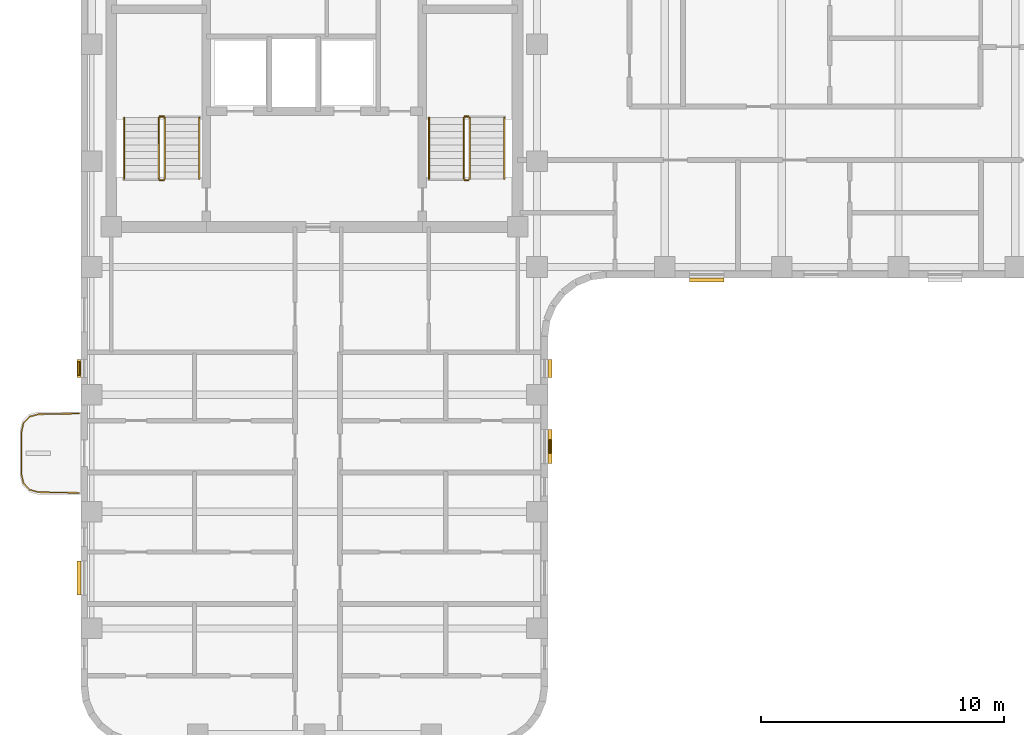
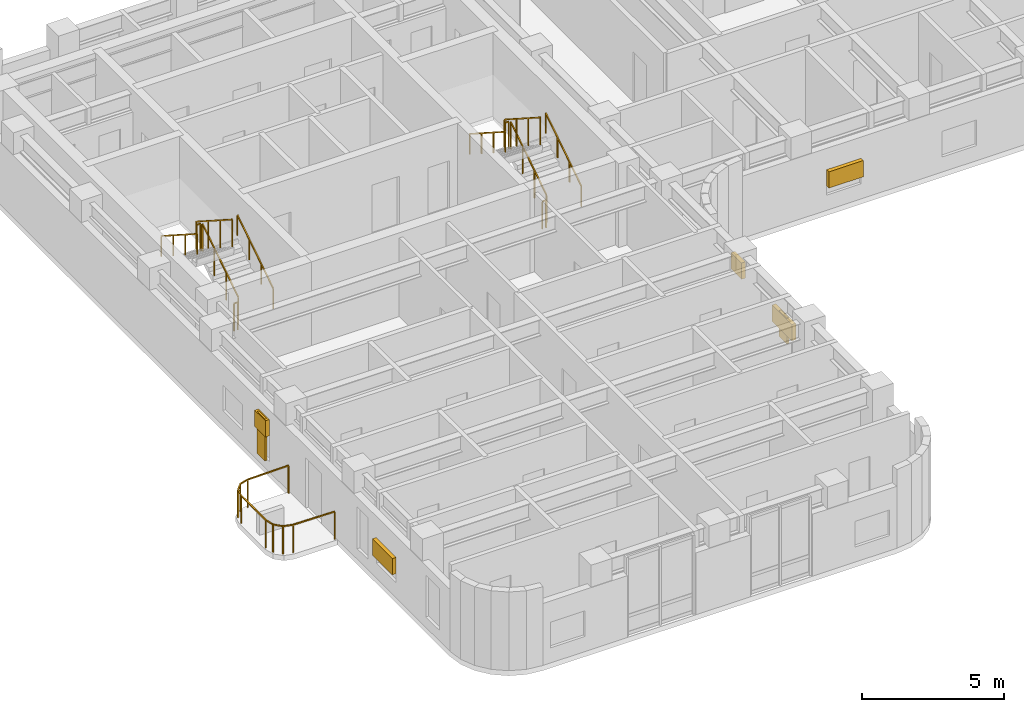
# One storey, part 10 of 12: 13 railings, 7 shading devices.
"""IFC4 building model written with IfcOpenShell, lengths in metres."""

from ifc_helpers import new_model, si_unit, direction, frame, origin, origin_2d, place, context, subcontext, project, spatial, rectangle, extrude, material, type_object, element, save


model = new_model("IFC4")

# Units and contexts
model_context = context("Model", 3, precision=1e-05, world=origin(), true_north=direction((0.0, 1.0)))
body_context = subcontext(model_context, "Body", "Model", "MODEL_VIEW")
ifc_project = project(units=[si_unit("LENGTHUNIT", "METRE"), si_unit("AREAUNIT", "SQUARE_METRE"), si_unit("VOLUMEUNIT", "CUBIC_METRE"), si_unit("PLANEANGLEUNIT", "RADIAN"), si_unit("MASSUNIT", "GRAM", prefix="KILO")], contexts=[model_context])

# Site, building, storey
site_placement = place(None, origin())
site = spatial("IfcSite", under=ifc_project, at=site_placement, CompositionType="ELEMENT")
building_placement = place(site_placement, origin())
building = spatial("IfcBuilding", under=site, at=building_placement, Name="Orvandelia Arch Residences", CompositionType="ELEMENT")
storey_placement = place(building_placement, frame((0.0, 0.0, 214.60009765625)))
storey = spatial("IfcBuildingStorey", under=building, at=storey_placement, Name="L56", CompositionType="ELEMENT", Elevation=214.60009765625)

# Railings
ifc_material_1 = material(Name="Marine-Grade Stainless Steel 316", Category="steel")
railing_type_1 = type_object("IfcRailingType", Name="GRD-BAL-1200", PredefinedType="BALUSTRADE", material=ifc_material_1)
railing_1_placement = place(storey_placement, frame((4.728271484375, 23.23046875, 0.0)))
element("IfcRailing", 1, at=railing_1_placement, inside=storey, type_object=railing_type_1, Name="Safety Balustrade Guard GRD-L56-BAL-L56-W1-1", PredefinedType="BALUSTRADE", context=body_context, shape_type="SweptSolid", body=[
    extrude(rectangle(XDim=0.048095703125, YDim=0.048095703125, at=origin_2d()), frame((0.0, 0.0, 1.19580078125), z_axis=(-0.999834751713, -0.018178813668, 0.0), x_axis=(0.018178813668, -0.999834751713, 0.0)), (0.0, 0.0, 1.0), 1.6787109375),
    extrude(rectangle(XDim=0.048095703125, YDim=0.048095703125, at=origin_2d()), frame((-1.678466796875, -0.030517578125, 1.19580078125), z_axis=(-0.96348920644, -0.267747173792, 0.0), x_axis=(0.267747173792, -0.96348920644, 0.0)), (0.0, 0.0, 1.0), 0.36572265625),
    extrude(rectangle(XDim=0.048095703125, YDim=0.048095703125, at=origin_2d()), frame((-2.03076171875, -0.12841796875, 1.19580078125), z_axis=(-0.688627404251, -0.725115368831, 0.0), x_axis=(0.725115368831, -0.688627404251, 0.0)), (0.0, 0.0, 1.0), 0.367919921875),
    extrude(rectangle(XDim=0.048095703125, YDim=0.048095703125, at=origin_2d()), frame((-2.2841796875, -0.395263671875, 1.19580078125), z_axis=(-0.220461657419, -0.975395641577, 0.0), x_axis=(0.975395641577, -0.220461657419, 0.0)), (0.0, 0.0, 1.0), 0.373291015625),
    extrude(rectangle(XDim=0.048095703125, YDim=0.048095703125, at=origin_2d()), frame((-2.366455078125, -0.75927734375, 1.19580078125), z_axis=(0.0, -1.0, 0.0), x_axis=(1.0, 0.0, 0.0)), (0.0, 0.0, 1.0), 1.742431640625),
    extrude(rectangle(XDim=0.048095703125, YDim=0.048095703125, at=origin_2d()), frame((-2.366455078125, -2.501708984375, 1.19580078125), z_axis=(0.220602419982, -0.975363815352, 0.0), x_axis=(0.975363815352, 0.220602419982, 0.0)), (0.0, 0.0, 1.0), 0.373046875),
    extrude(rectangle(XDim=0.048095703125, YDim=0.048095703125, at=origin_2d()), frame((-2.2841796875, -2.865478515625, 1.19580078125), z_axis=(0.688296224633, -0.725429739642, 0.0), x_axis=(0.725429739642, 0.688296224633, 0.0)), (0.0, 0.0, 1.0), 0.3681640625),
    extrude(rectangle(XDim=0.048095703125, YDim=0.048095703125, at=origin_2d()), frame((-2.03076171875, -3.132568359375, 1.19580078125), z_axis=(0.96348920644, -0.267747173792, 0.0), x_axis=(0.267747173792, 0.96348920644, 0.0)), (0.0, 0.0, 1.0), 0.36572265625),
    extrude(rectangle(XDim=0.048095703125, YDim=0.048095703125, at=origin_2d()), frame((-1.678466796875, -3.23046875, 1.19580078125), z_axis=(0.999834751713, -0.018178813668, 0.0), x_axis=(0.018178813668, 0.999834751713, 0.0)), (0.0, 0.0, 1.0), 1.6787109375),
    extrude(rectangle(XDim=0.0419921875, YDim=0.0419921875, at=origin_2d()), origin(), (0.0, 0.0, 1.0), 1.171875),
    extrude(rectangle(XDim=0.0419921875, YDim=0.0419921875, at=origin_2d()), frame((-1.678466796875, -0.030517578125, 0.0)), (0.0, 0.0, 1.0), 1.171875),
    extrude(rectangle(XDim=0.0419921875, YDim=0.0419921875, at=origin_2d()), frame((-2.03076171875, -0.12841796875, 0.0)), (0.0, 0.0, 1.0), 1.171875),
    extrude(rectangle(XDim=0.0419921875, YDim=0.0419921875, at=origin_2d()), frame((-2.2841796875, -0.395263671875, 0.0)), (0.0, 0.0, 1.0), 1.171875),
    extrude(rectangle(XDim=0.0419921875, YDim=0.0419921875, at=origin_2d()), frame((-2.366455078125, -0.75927734375, 0.0)), (0.0, 0.0, 1.0), 1.171875),
    extrude(rectangle(XDim=0.0419921875, YDim=0.0419921875, at=origin_2d()), frame((-2.366455078125, -2.501708984375, 0.0)), (0.0, 0.0, 1.0), 1.171875),
    extrude(rectangle(XDim=0.0419921875, YDim=0.0419921875, at=origin_2d()), frame((-2.2841796875, -2.865478515625, 0.0)), (0.0, 0.0, 1.0), 1.171875),
    extrude(rectangle(XDim=0.0419921875, YDim=0.0419921875, at=origin_2d()), frame((-2.03076171875, -3.132568359375, 0.0)), (0.0, 0.0, 1.0), 1.171875),
    extrude(rectangle(XDim=0.0419921875, YDim=0.0419921875, at=origin_2d()), frame((-1.678466796875, -3.23046875, 0.0)), (0.0, 0.0, 1.0), 1.171875),
    extrude(rectangle(XDim=0.0419921875, YDim=0.0419921875, at=origin_2d()), frame((0.0, -3.260986328125, 0.0)), (0.0, 0.0, 1.0), 1.171875),
])
ifc_material_2 = material(Name="Brushed Stainless Steel 304", Category="steel")
railing_type_2 = type_object("IfcRailingType", Name="RL-STAIR-GD1120", PredefinedType="GUARDRAIL", material=ifc_material_2)
railing_2_placement = place(storey_placement, frame((8.25, 32.8701171875, 0.179931640625)))
element("IfcRailing", 2, at=railing_2_placement, inside=storey, type_object=railing_type_2, Name="L56 ST-1 stair guard 1", PredefinedType="GUARDRAIL", context=body_context, shape_type="SweptSolid", body=[
    extrude(rectangle(XDim=0.048095703125, YDim=0.048095703125, at=origin_2d()), frame((0.0, 0.0, 1.17578125), z_axis=(0.0, 0.841175827307, 0.540761710511), x_axis=(-1.0, 0.0, 0.0)), (0.0, 0.0, 1.0), 2.99560546875),
    extrude(rectangle(XDim=0.0419921875, YDim=0.0419921875, at=origin_2d()), origin(), (0.0, 0.0, 1.0), 1.15185546875),
    extrude(rectangle(XDim=0.0419921875, YDim=0.0419921875, at=origin_2d()), frame((0.0, 0.83984375, 0.5400390625)), (0.0, 0.0, 1.0), 1.15185546875),
    extrude(rectangle(XDim=0.0419921875, YDim=0.0419921875, at=origin_2d()), frame((0.0, 1.679931640625, 1.079833984375)), (0.0, 0.0, 1.0), 1.15185546875),
    extrude(rectangle(XDim=0.0419921875, YDim=0.0419921875, at=origin_2d()), frame((0.0, 2.519775390625, 1.619873046875)), (0.0, 0.0, 1.0), 1.15185546875),
])
railing_3_placement = place(storey_placement, frame((8.199951171875, 35.43994140625, 1.7998046875)))
element("IfcRailing", 3, at=railing_3_placement, inside=storey, type_object=railing_type_2, Name="L56 ST-1 stair guard 2", PredefinedType="GUARDRAIL", context=body_context, shape_type="SweptSolid", body=[
    extrude(rectangle(XDim=0.048095703125, YDim=0.048095703125, at=origin_2d()), frame((0.0, 0.0, 1.17578125), z_axis=(-1.0, 0.0, 0.0), x_axis=(0.0, -1.0, 0.0)), (0.0, 0.0, 1.0), 0.14990234375),
    extrude(rectangle(XDim=0.0419921875, YDim=0.0419921875, at=origin_2d()), origin(), (0.0, 0.0, 1.0), 1.15185546875),
    extrude(rectangle(XDim=0.0419921875, YDim=0.0419921875, at=origin_2d()), frame((-0.14990234375, 0.0, 0.0)), (0.0, 0.0, 1.0), 1.15185546875),
])
railing_4_placement = place(storey_placement, frame((8.0, 35.389892578125, 1.97998046875)))
element("IfcRailing", 4, at=railing_4_placement, inside=storey, type_object=railing_type_2, Name="L56 ST-1 stair guard 3", PredefinedType="GUARDRAIL", context=body_context, shape_type="SweptSolid", body=[
    extrude(rectangle(XDim=0.048095703125, YDim=0.048095703125, at=origin_2d()), frame((0.0, 0.0, 1.17578125), z_axis=(0.0, -0.841175827307, 0.540761710511), x_axis=(1.0, 0.0, 0.0)), (0.0, 0.0, 1.0), 2.99560546875),
    extrude(rectangle(XDim=0.0419921875, YDim=0.0419921875, at=origin_2d()), origin(), (0.0, 0.0, 1.0), 1.15185546875),
    extrude(rectangle(XDim=0.0419921875, YDim=0.0419921875, at=origin_2d()), frame((0.0, -0.83984375, 0.5400390625)), (0.0, 0.0, 1.0), 1.15185546875),
    extrude(rectangle(XDim=0.0419921875, YDim=0.0419921875, at=origin_2d()), frame((0.0, -1.679931640625, 1.079833984375)), (0.0, 0.0, 1.0), 1.15185546875),
    extrude(rectangle(XDim=0.0419921875, YDim=0.0419921875, at=origin_2d()), frame((0.0, -2.519775390625, 1.619873046875)), (0.0, 0.0, 1.0), 1.15185546875),
])
railing_5_placement = place(storey_placement, frame((8.199951171875, 32.820068359375, 0.0)))
element("IfcRailing", 5, at=railing_5_placement, inside=storey, type_object=railing_type_2, Name="L56 ST-1 stair guard 4", PredefinedType="GUARDRAIL", context=body_context, shape_type="SweptSolid", body=[
    extrude(rectangle(XDim=0.048095703125, YDim=0.048095703125, at=origin_2d()), frame((0.0, 0.0, 1.17578125), z_axis=(-1.0, 0.0, 0.0), x_axis=(0.0, -1.0, 0.0)), (0.0, 0.0, 1.0), 0.14990234375),
    extrude(rectangle(XDim=0.0419921875, YDim=0.0419921875, at=origin_2d()), origin(), (0.0, 0.0, 1.0), 1.15185546875),
    extrude(rectangle(XDim=0.0419921875, YDim=0.0419921875, at=origin_2d()), frame((-0.14990234375, 0.0, 0.0)), (0.0, 0.0, 1.0), 1.15185546875),
])
railing_6_placement = place(storey_placement, frame((20.780029296875, 32.8701171875, 0.179931640625)))
element("IfcRailing", 6, at=railing_6_placement, inside=storey, type_object=railing_type_2, Name="L56 ST-2 stair guard 1", PredefinedType="GUARDRAIL", context=body_context, shape_type="SweptSolid", body=[
    extrude(rectangle(XDim=0.048095703125, YDim=0.048095703125, at=origin_2d()), frame((0.0, 0.0, 1.17578125), z_axis=(0.0, 0.841175827307, 0.540761710511), x_axis=(-1.0, 0.0, 0.0)), (0.0, 0.0, 1.0), 2.99560546875),
    extrude(rectangle(XDim=0.0419921875, YDim=0.0419921875, at=origin_2d()), origin(), (0.0, 0.0, 1.0), 1.15185546875),
    extrude(rectangle(XDim=0.0419921875, YDim=0.0419921875, at=origin_2d()), frame((0.0, 0.83984375, 0.5400390625)), (0.0, 0.0, 1.0), 1.15185546875),
    extrude(rectangle(XDim=0.0419921875, YDim=0.0419921875, at=origin_2d()), frame((0.0, 1.679931640625, 1.079833984375)), (0.0, 0.0, 1.0), 1.15185546875),
    extrude(rectangle(XDim=0.0419921875, YDim=0.0419921875, at=origin_2d()), frame((0.0, 2.519775390625, 1.619873046875)), (0.0, 0.0, 1.0), 1.15185546875),
])
railing_7_placement = place(storey_placement, frame((20.72998046875, 35.43994140625, 1.7998046875)))
element("IfcRailing", 7, at=railing_7_placement, inside=storey, type_object=railing_type_2, Name="L56 ST-2 stair guard 2", PredefinedType="GUARDRAIL", context=body_context, shape_type="SweptSolid", body=[
    extrude(rectangle(XDim=0.048095703125, YDim=0.048095703125, at=origin_2d()), frame((0.0, 0.0, 1.17578125), z_axis=(-1.0, 0.0, 0.0), x_axis=(0.0, -1.0, 0.0)), (0.0, 0.0, 1.0), 0.14990234375),
    extrude(rectangle(XDim=0.0419921875, YDim=0.0419921875, at=origin_2d()), origin(), (0.0, 0.0, 1.0), 1.15185546875),
    extrude(rectangle(XDim=0.0419921875, YDim=0.0419921875, at=origin_2d()), frame((-0.14990234375, 0.0, 0.0)), (0.0, 0.0, 1.0), 1.15185546875),
])
railing_8_placement = place(storey_placement, frame((20.530029296875, 35.389892578125, 1.97998046875)))
element("IfcRailing", 8, at=railing_8_placement, inside=storey, type_object=railing_type_2, Name="L56 ST-2 stair guard 3", PredefinedType="GUARDRAIL", context=body_context, shape_type="SweptSolid", body=[
    extrude(rectangle(XDim=0.048095703125, YDim=0.048095703125, at=origin_2d()), frame((0.0, 0.0, 1.17578125), z_axis=(0.0, -0.841175827307, 0.540761710511), x_axis=(1.0, 0.0, 0.0)), (0.0, 0.0, 1.0), 2.99560546875),
    extrude(rectangle(XDim=0.0419921875, YDim=0.0419921875, at=origin_2d()), origin(), (0.0, 0.0, 1.0), 1.15185546875),
    extrude(rectangle(XDim=0.0419921875, YDim=0.0419921875, at=origin_2d()), frame((0.0, -0.83984375, 0.5400390625)), (0.0, 0.0, 1.0), 1.15185546875),
    extrude(rectangle(XDim=0.0419921875, YDim=0.0419921875, at=origin_2d()), frame((0.0, -1.679931640625, 1.079833984375)), (0.0, 0.0, 1.0), 1.15185546875),
    extrude(rectangle(XDim=0.0419921875, YDim=0.0419921875, at=origin_2d()), frame((0.0, -2.519775390625, 1.619873046875)), (0.0, 0.0, 1.0), 1.15185546875),
])
railing_9_placement = place(storey_placement, frame((20.72998046875, 32.820068359375, 0.0)))
element("IfcRailing", 9, at=railing_9_placement, inside=storey, type_object=railing_type_2, Name="L56 ST-2 stair guard 4", PredefinedType="GUARDRAIL", context=body_context, shape_type="SweptSolid", body=[
    extrude(rectangle(XDim=0.048095703125, YDim=0.048095703125, at=origin_2d()), frame((0.0, 0.0, 1.17578125), z_axis=(-1.0, 0.0, 0.0), x_axis=(0.0, -1.0, 0.0)), (0.0, 0.0, 1.0), 0.14990234375),
    extrude(rectangle(XDim=0.0419921875, YDim=0.0419921875, at=origin_2d()), origin(), (0.0, 0.0, 1.0), 1.15185546875),
    extrude(rectangle(XDim=0.0419921875, YDim=0.0419921875, at=origin_2d()), frame((-0.14990234375, 0.0, 0.0)), (0.0, 0.0, 1.0), 1.15185546875),
])
railing_type_3 = type_object("IfcRailingType", Name="RL-STAIR-HR920", PredefinedType="HANDRAIL", material=ifc_material_2)
railing_10_placement = place(storey_placement, frame((9.669921875, 32.8701171875, 0.35986328125)))
element("IfcRailing", 10, at=railing_10_placement, inside=storey, type_object=railing_type_3, Name="L56 ST-1 stair handrail 1", PredefinedType="HANDRAIL", context=body_context, shape_type="SweptSolid", body=[
    extrude(rectangle(XDim=0.048095703125, YDim=0.048095703125, at=origin_2d()), frame((0.0, 0.0, 0.8759765625), z_axis=(0.0, 0.841138753965, 0.540819375188), x_axis=(-1.0, 0.0, 0.0)), (0.0, 0.0, 1.0), 2.99560546875),
    extrude(rectangle(XDim=0.0419921875, YDim=0.0419921875, at=origin_2d()), origin(), (0.0, 0.0, 1.0), 0.851806640625),
    extrude(rectangle(XDim=0.0419921875, YDim=0.0419921875, at=origin_2d()), frame((0.0, 0.83984375, 0.5400390625)), (0.0, 0.0, 1.0), 0.851806640625),
    extrude(rectangle(XDim=0.0419921875, YDim=0.0419921875, at=origin_2d()), frame((0.0, 1.679931640625, 1.080078125)), (0.0, 0.0, 1.0), 0.851806640625),
    extrude(rectangle(XDim=0.0419921875, YDim=0.0419921875, at=origin_2d()), frame((0.0, 2.519775390625, 1.6201171875)), (0.0, 0.0, 1.0), 0.851806640625),
])
railing_11_placement = place(storey_placement, frame((6.580078125, 35.389892578125, 2.159912109375)))
element("IfcRailing", 11, at=railing_11_placement, inside=storey, type_object=railing_type_3, Name="L56 ST-1 stair handrail 2", PredefinedType="HANDRAIL", context=body_context, shape_type="SweptSolid", body=[
    extrude(rectangle(XDim=0.048095703125, YDim=0.048095703125, at=origin_2d()), frame((0.0, 0.0, 0.8759765625), z_axis=(0.0, -0.841175827307, 0.540761710511), x_axis=(1.0, 0.0, 0.0)), (0.0, 0.0, 1.0), 2.99560546875),
    extrude(rectangle(XDim=0.0419921875, YDim=0.0419921875, at=origin_2d()), origin(), (0.0, 0.0, 1.0), 0.851806640625),
    extrude(rectangle(XDim=0.0419921875, YDim=0.0419921875, at=origin_2d()), frame((0.0, -0.83984375, 0.5400390625)), (0.0, 0.0, 1.0), 0.851806640625),
    extrude(rectangle(XDim=0.0419921875, YDim=0.0419921875, at=origin_2d()), frame((0.0, -1.679931640625, 1.079833984375)), (0.0, 0.0, 1.0), 0.851806640625),
    extrude(rectangle(XDim=0.0419921875, YDim=0.0419921875, at=origin_2d()), frame((0.0, -2.519775390625, 1.619873046875)), (0.0, 0.0, 1.0), 0.851806640625),
])
railing_12_placement = place(storey_placement, frame((22.199951171875, 32.8701171875, 0.35986328125)))
element("IfcRailing", 12, at=railing_12_placement, inside=storey, type_object=railing_type_3, Name="L56 ST-2 stair handrail 1", PredefinedType="HANDRAIL", context=body_context, shape_type="SweptSolid", body=[
    extrude(rectangle(XDim=0.048095703125, YDim=0.048095703125, at=origin_2d()), frame((0.0, 0.0, 0.8759765625), z_axis=(0.0, 0.841138753965, 0.540819375188), x_axis=(-1.0, 0.0, 0.0)), (0.0, 0.0, 1.0), 2.99560546875),
    extrude(rectangle(XDim=0.0419921875, YDim=0.0419921875, at=origin_2d()), origin(), (0.0, 0.0, 1.0), 0.851806640625),
    extrude(rectangle(XDim=0.0419921875, YDim=0.0419921875, at=origin_2d()), frame((0.0, 0.83984375, 0.5400390625)), (0.0, 0.0, 1.0), 0.851806640625),
    extrude(rectangle(XDim=0.0419921875, YDim=0.0419921875, at=origin_2d()), frame((0.0, 1.679931640625, 1.080078125)), (0.0, 0.0, 1.0), 0.851806640625),
    extrude(rectangle(XDim=0.0419921875, YDim=0.0419921875, at=origin_2d()), frame((0.0, 2.519775390625, 1.6201171875)), (0.0, 0.0, 1.0), 0.851806640625),
])
railing_13_placement = place(storey_placement, frame((19.110107421875, 35.389892578125, 2.159912109375)))
element("IfcRailing", 13, at=railing_13_placement, inside=storey, type_object=railing_type_3, Name="L56 ST-2 stair handrail 2", PredefinedType="HANDRAIL", context=body_context, shape_type="SweptSolid", body=[
    extrude(rectangle(XDim=0.048095703125, YDim=0.048095703125, at=origin_2d()), frame((0.0, 0.0, 0.8759765625), z_axis=(0.0, -0.841175827307, 0.540761710511), x_axis=(1.0, 0.0, 0.0)), (0.0, 0.0, 1.0), 2.99560546875),
    extrude(rectangle(XDim=0.0419921875, YDim=0.0419921875, at=origin_2d()), origin(), (0.0, 0.0, 1.0), 0.851806640625),
    extrude(rectangle(XDim=0.0419921875, YDim=0.0419921875, at=origin_2d()), frame((0.0, -0.83984375, 0.5400390625)), (0.0, 0.0, 1.0), 0.851806640625),
    extrude(rectangle(XDim=0.0419921875, YDim=0.0419921875, at=origin_2d()), frame((0.0, -1.679931640625, 1.079833984375)), (0.0, 0.0, 1.0), 0.851806640625),
    extrude(rectangle(XDim=0.0419921875, YDim=0.0419921875, at=origin_2d()), frame((0.0, -2.519775390625, 1.619873046875)), (0.0, 0.0, 1.0), 0.851806640625),
])

# Shading devices
ifc_material_3 = material(Name="Anodised Champagne-Bronze Extruded Aluminium", Category="aluminium")
shading_device_type_1 = type_object("IfcShadingDeviceType", Name="SHD-JALOUSIE-SCREEN", PredefinedType="JALOUSIE", material=ifc_material_3)
for number, where, z_axis, x_axis, name in (
    (14, (30.5224609375, 28.719970703125, 1.0498046875), (0.0, 0.0, 1.0), (-1.0, 0.0, 0.0), "Bronze Jalousie Sun-Shade L56-004"),
    (15, (24.080078125, 21.8701171875, 1.0498046875), (0.0, 0.0, 1.0), (0.0, -1.0, 0.0), "Bronze Jalousie Sun-Shade L56-006"),
):
    element("IfcShadingDevice", number, at=place(storey_placement, frame(where, z_axis=z_axis, x_axis=x_axis)), inside=storey, type_object=shading_device_type_1, Name=name, PredefinedType="JALOUSIE", context=body_context, shape_type="SweptSolid", body=[
        extrude(rectangle(XDim=1.39990234375, YDim=0.159912109375, at=origin_2d()), origin(), (0.0, 0.0, 1.0), 0.699951171875),
    ])
shading_device_1_placement = place(storey_placement, frame((24.080078125, 25.08251953125, 1.5498046875), z_axis=(0.0, 0.0, 1.0), x_axis=(0.0, -1.0, 0.0)))
element("IfcShadingDevice", 16, at=shading_device_1_placement, inside=storey, type_object=shading_device_type_1, Name="Bronze Jalousie Sun-Shade L56-007", PredefinedType="JALOUSIE", context=body_context, shape_type="SweptSolid", body=[
    extrude(rectangle(XDim=0.75, YDim=0.159912109375, at=origin_2d()), origin(), (0.0, 0.0, 1.0), 0.699951171875),
])
shading_device_2_placement = place(storey_placement, frame((4.719970703125, 16.469970703125, 1.0498046875), z_axis=(0.0, 0.0, 1.0), x_axis=(0.0, 1.0, 0.0)))
element("IfcShadingDevice", 17, at=shading_device_2_placement, inside=storey, type_object=shading_device_type_1, Name="Bronze Jalousie Sun-Shade L56-008", PredefinedType="JALOUSIE", context=body_context, shape_type="SweptSolid", body=[
    extrude(rectangle(XDim=1.39990234375, YDim=0.159912109375, at=origin_2d()), origin(), (0.0, 0.0, 1.0), 0.699951171875),
])
shading_device_3_placement = place(storey_placement, frame((4.719970703125, 25.08251953125, 1.5498046875), z_axis=(0.0, 0.0, 1.0), x_axis=(0.0, 1.0, 0.0)))
element("IfcShadingDevice", 18, at=shading_device_3_placement, inside=storey, type_object=shading_device_type_1, Name="Bronze Jalousie Sun-Shade L56-009", PredefinedType="JALOUSIE", context=body_context, shape_type="SweptSolid", body=[
    extrude(rectangle(XDim=0.75, YDim=0.159912109375, at=origin_2d()), origin(), (0.0, 0.0, 1.0), 0.699951171875),
])
ifc_material_4 = material(Name="Marine-Grade Perforated Aluminium Storm Shutter", Category="aluminium")
shading_device_type_2 = type_object("IfcShadingDeviceType", Name="SHD-STORM-SHUTTER", PredefinedType="SHUTTER", material=ifc_material_4)
shading_device_4_placement = place(storey_placement, frame((24.080078125, 21.8701171875, 0.64990234375), z_axis=(0.0, 0.0, 1.0), x_axis=(0.0, -1.0, 0.0)))
element("IfcShadingDevice", 19, at=shading_device_4_placement, inside=storey, type_object=shading_device_type_2, Name="Operable Typhoon Storm Shutter L56-006", PredefinedType="SHUTTER", context=body_context, shape_type="SweptSolid", body=[
    extrude(rectangle(XDim=0.550048828125, YDim=0.080078125, at=origin_2d()), origin(), (0.0, 0.0, 1.0), 1.10009765625),
])
shading_device_5_placement = place(storey_placement, frame((4.719970703125, 25.08251953125, 0.44970703125), z_axis=(0.0, 0.0, 1.0), x_axis=(0.0, 1.0, 0.0)))
element("IfcShadingDevice", 20, at=shading_device_5_placement, inside=storey, type_object=shading_device_type_2, Name="Operable Typhoon Storm Shutter L56-009", PredefinedType="SHUTTER", context=body_context, shape_type="SweptSolid", body=[
    extrude(rectangle(XDim=0.550048828125, YDim=0.080078125, at=origin_2d()), origin(), (0.0, 0.0, 1.0), 1.800048828125),
])

save(model, "model.ifc")
